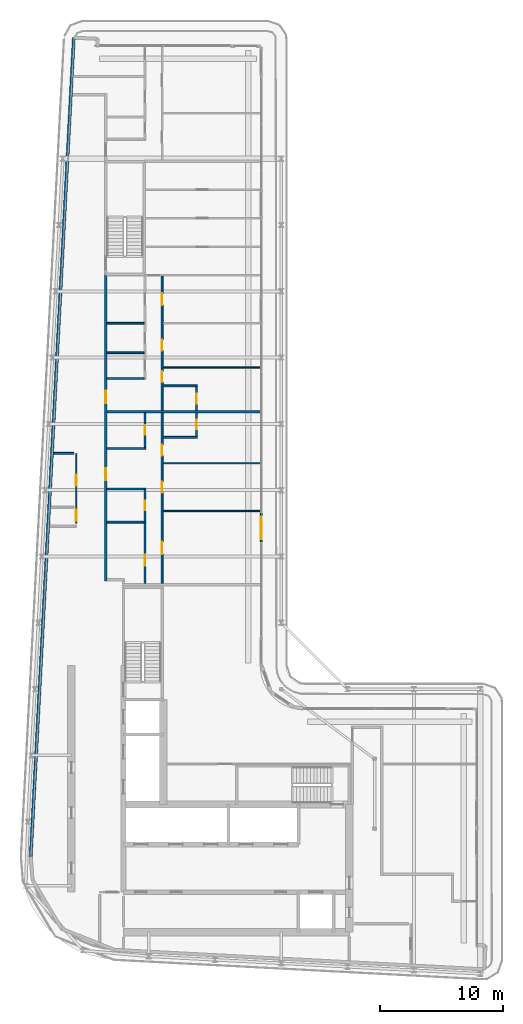
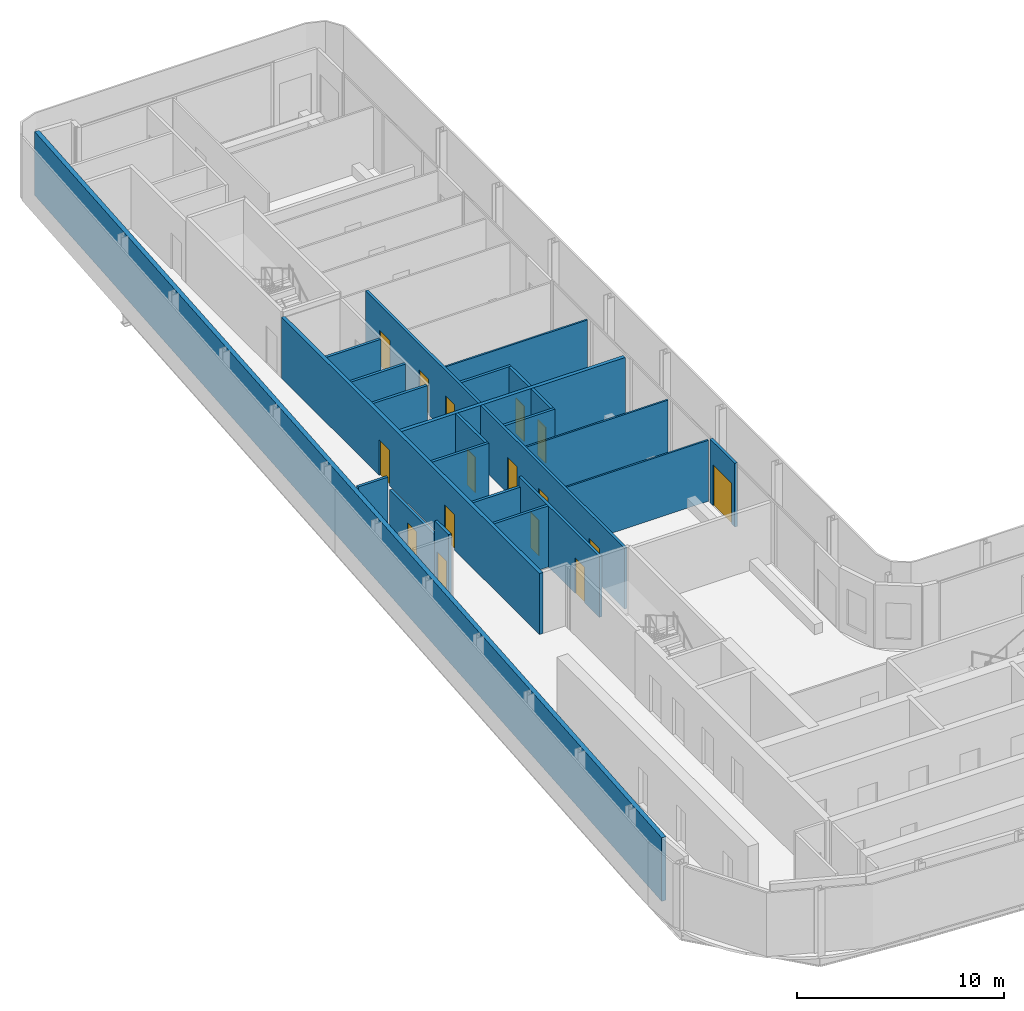
# One storey, part 13 of 21: 24 walls, 16 doors, 16 openings.
"""IFC4 building model written with IfcOpenShell, lengths in metres."""

import ifcopenshell
import ifcopenshell.guid

model = None  # the IFC model being written
_history = None  # IfcOwnerHistory: only IFC2X3 demands one
_inside = {}  # id of a spatial element -> (the spatial element, [elements in it])
_under = {}  # id of a project, library or spatial element -> (it, [spatial elements below it])
_declared = {}  # id of a project -> (the project, [libraries it declares])
_typed = {}  # id of a type object -> (the type object, [elements of that type])
_made_of = {}  # id of a material, layer set ... -> (it, [elements and type objects made of it])


def new_model(schema):
    """Start an empty IFC model of exactly this schema.

    Asked for "IFC4X3", IfcOpenShell would pick the latest addendum, in which some entities
    have other attributes; the version numbers below select the first issue.
    IFC2X3 requires an IfcOwnerHistory on every rooted entity: one is made here for all.
    """
    global model, _history
    if schema == "IFC4X3":
        model = ifcopenshell.file(schema_version=(4, 3, 0, 0))
    else:
        model = ifcopenshell.file(schema=schema)
    _inside.clear()
    _under.clear()
    _declared.clear()
    _typed.clear()
    _made_of.clear()
    _history = None
    if model.schema == "IFC2X3":
        org = make("IfcOrganization", Name="unknown")
        user = make(
            "IfcPersonAndOrganization",
            ThePerson=make("IfcPerson", FamilyName="unknown"),
            TheOrganization=org,
        )
        app = make(
            "IfcApplication",
            ApplicationDeveloper=org,
            Version="unknown",
            ApplicationFullName="unknown",
            ApplicationIdentifier="unknown",
        )
        _history = make(
            "IfcOwnerHistory",
            OwningUser=user,
            OwningApplication=app,
            ChangeAction="ADDED",
            CreationDate=0,
        )
    return model


def make(cls, **values):
    """One entity of the class cls with the attributes given. An attribute that is None is left unset."""
    return model.create_entity(
        cls, **{name: value for name, value in values.items() if value is not None}
    )


def rooted(cls, **values):
    """An entity with a GlobalId (a new one), such as an element, a storey or a relation."""
    return make(cls, GlobalId=ifcopenshell.guid.new(), OwnerHistory=_history, **values)


def si_unit(unit_type, name, prefix=None):
    """IfcSIUnit, for example si_unit("LENGTHUNIT", "METRE", prefix="MILLI")."""
    return make("IfcSIUnit", UnitType=unit_type, Prefix=prefix, Name=name)


def assignment(units):
    """IfcUnitAssignment: the units of a project."""
    return None if units is None else make("IfcUnitAssignment", Units=units)


def point(xyz):
    """IfcCartesianPoint."""
    return None if xyz is None else make("IfcCartesianPoint", Coordinates=xyz)


def direction(xyz):
    """IfcDirection."""
    return None if xyz is None else make("IfcDirection", DirectionRatios=xyz)


def frame(location, z_axis=None, x_axis=None):
    """IfcAxis2Placement3D, a coordinate frame: its origin and axes. An axis left out is left unset."""
    return make(
        "IfcAxis2Placement3D",
        Location=point(location),
        Axis=direction(z_axis),
        RefDirection=direction(x_axis),
    )


def frame_2d(location, x_axis=None):
    """IfcAxis2Placement2D, a coordinate frame in the plane: its origin and x axis."""
    return make(
        "IfcAxis2Placement2D", Location=point(location), RefDirection=direction(x_axis)
    )


def origin():
    """The frame at (0, 0, 0) with its axes left unset."""
    return frame((0.0, 0.0, 0.0))


def place(relative_to, where):
    """IfcLocalPlacement: puts the frame where relative to a parent placement (None: the world)."""
    return make(
        "IfcLocalPlacement", PlacementRelTo=relative_to, RelativePlacement=where
    )


def context(
    kind, dimensions, precision=None, world=None, true_north=None, identifier=None
):
    """IfcGeometricRepresentationContext, for example the 3D "Model" context."""
    return make(
        "IfcGeometricRepresentationContext",
        ContextIdentifier=identifier,
        ContextType=kind,
        CoordinateSpaceDimension=dimensions,
        Precision=precision,
        WorldCoordinateSystem=world,
        TrueNorth=true_north,
    )


def subcontext(parent, identifier, kind, view, scale=None):
    """IfcGeometricRepresentationSubContext, for example "Body" below "Model"."""
    return make(
        "IfcGeometricRepresentationSubContext",
        ContextIdentifier=identifier,
        ContextType=kind,
        ParentContext=parent,
        TargetScale=scale,
        TargetView=view,
    )


def project(units=None, contexts=None):
    """IfcProject with its units and contexts."""
    return rooted(
        "IfcProject",
        Name="project",
        RepresentationContexts=contexts,
        UnitsInContext=assignment(units),
    )


def spatial(cls, under=None, at=None, **own):
    """A site, building, storey or space (cls), placed at a placement, below another one or the project."""
    s = rooted(cls, ObjectPlacement=at, **own)
    if under is not None:
        _under.setdefault(under.id(), (under, []))[1].append(s)
    return s


def profile(cls, at=None, kind="AREA", **sizes):
    """A parametric profile (cls). Its sizes go by their IFC names, for example OverallWidth=200.0."""
    return make(cls, ProfileType=kind, Position=at, **sizes)


def rectangle(**sizes):
    """IfcRectangleProfileDef."""
    return profile("IfcRectangleProfileDef", **sizes)


def extrude(swept, where, along, depth):
    """IfcExtrudedAreaSolid: the profile swept, set in the frame where, extruded along a direction by depth."""
    return make(
        "IfcExtrudedAreaSolid",
        SweptArea=swept,
        Position=where,
        ExtrudedDirection=direction(along),
        Depth=depth,
    )


def shape(context_of_items, identifier, shape_type, items):
    """IfcShapeRepresentation: the items that make up one representation, for example the "Body"."""
    return make(
        "IfcShapeRepresentation",
        ContextOfItems=context_of_items,
        RepresentationIdentifier=identifier,
        RepresentationType=shape_type,
        Items=items,
    )


def source(mapping_origin, context_of_items, identifier, shape_type, items):
    """IfcRepresentationMap: a shape defined once, which mapped items show again and again."""
    return make(
        "IfcRepresentationMap",
        MappingOrigin=mapping_origin,
        MappedRepresentation=shape(context_of_items, identifier, shape_type, items),
    )


def transform(
    local_origin,
    x_axis=None,
    y_axis=None,
    z_axis=None,
    scale=None,
    scale2=None,
    scale3=None,
    uniform=True,
):
    """IfcCartesianTransformationOperator3D, or its non-uniform kind. x_axis, y_axis, z_axis: its Axis1, 2, 3."""
    if uniform:
        return make(
            "IfcCartesianTransformationOperator3D",
            Axis1=direction(x_axis),
            Axis2=direction(y_axis),
            LocalOrigin=point(local_origin),
            Scale=scale,
            Axis3=direction(z_axis),
        )
    return make(
        "IfcCartesianTransformationOperator3DnonUniform",
        Axis1=direction(x_axis),
        Axis2=direction(y_axis),
        LocalOrigin=point(local_origin),
        Scale=scale,
        Axis3=direction(z_axis),
        Scale2=scale2,
        Scale3=scale3,
    )


def mapped(mapping_source, mapping_target):
    """IfcMappedItem: shows the shape of a source again, moved by a transform."""
    return make(
        "IfcMappedItem", MappingSource=mapping_source, MappingTarget=mapping_target
    )


def material(Name=None, Category=None):
    """IfcMaterial."""
    return make("IfcMaterial", Name=Name, Category=Category)


def layer(
    of_material, thickness, ventilated=None, Name=None, Category=None, Priority=None
):
    """IfcMaterialLayer: one layer of a wall or slab, of a material (None: an air gap)."""
    return make(
        "IfcMaterialLayer",
        Material=of_material,
        LayerThickness=thickness,
        IsVentilated=ventilated,
        Name=Name,
        Category=Category,
        Priority=Priority,
    )


def layer_set(layers, Name=None):
    """IfcMaterialLayerSet."""
    return make("IfcMaterialLayerSet", MaterialLayers=layers, LayerSetName=Name)


def made_of(thing, what):
    """Note that an element or type object is made of a material, layer set ...; save() writes the relation."""
    if what is not None:
        _made_of.setdefault(what.id(), (what, []))[1].append(thing)
    return thing


def type_object(cls, material=None, **own):
    """A type object (cls), such as IfcWallType, which elements share."""
    return made_of(rooted(cls, **own), material)


def element(
    cls,
    number,
    at=None,
    inside=None,
    cuts=None,
    type_object=None,
    material=None,
    context=None,
    identifier="Body",
    shape_type=None,
    held_by="IfcProductDefinitionShape",
    body=None,
    shapes=None,
    **own,
):
    """One element of the class cls, such as IfcWall. Its Tag is "e" and its number.

    at: its placement. inside: the storey or other place that contains it. cuts: it is an
    opening in that element (IfcRelVoidsElement). A single representation is given by context,
    identifier, shape_type and body (its items); several are given by shapes. held_by: the class
    of the entity that holds the representations. save() writes the other relations.
    """
    e = rooted(cls, Tag="e%d" % number, ObjectPlacement=at, **own)
    if body is not None:
        shapes = [shape(context, identifier, shape_type, body)]
    if shapes is not None:
        e.Representation = make(held_by, Representations=shapes)
    if inside is not None:
        _inside.setdefault(inside.id(), (inside, []))[1].append(e)
    if cuts is not None:
        rooted(
            "IfcRelVoidsElement", RelatingBuildingElement=cuts, RelatedOpeningElement=e
        )
    if type_object is not None:
        _typed.setdefault(type_object.id(), (type_object, []))[1].append(e)
    return made_of(e, material)


def fill(opening, filler):
    """IfcRelFillsElement: the door or window that sits in an opening."""
    return rooted(
        "IfcRelFillsElement",
        RelatingOpeningElement=opening,
        RelatedBuildingElement=filler,
    )


def aggregate(whole, parts):
    """IfcRelAggregates: a whole, such as a stair, and the parts it consists of."""
    return rooted("IfcRelAggregates", RelatingObject=whole, RelatedObjects=parts)


def save(model, path):
    """Write the relations noted so far, then the file.

    IfcRelAggregates (storeys below a building ...), IfcRelContainedInSpatialStructure (elements
    in a storey), IfcRelDefinesByType, IfcRelAssociatesMaterial and IfcRelDeclares: one each for
    every whole, place, type object, material and project.
    """
    for whole, parts in _under.values():
        aggregate(whole, parts)
    for where, things in _inside.values():
        rooted(
            "IfcRelContainedInSpatialStructure",
            RelatedElements=things,
            RelatingStructure=where,
        )
    for kind, things in _typed.values():
        rooted("IfcRelDefinesByType", RelatedObjects=things, RelatingType=kind)
    for what, things in _made_of.values():
        rooted("IfcRelAssociatesMaterial", RelatedObjects=things, RelatingMaterial=what)
    for by, libraries in _declared.values():
        rooted("IfcRelDeclares", RelatingContext=by, RelatedDefinitions=libraries)
    model.write(path)


model = new_model("IFC4")

# Units and contexts
model_context = context("Model", 3, precision=1e-05, world=origin(), true_north=direction((0.0, 1.0)))
body_context = subcontext(model_context, "Body", "Model", "MODEL_VIEW")
ifc_project = project(units=[si_unit("LENGTHUNIT", "METRE"), si_unit("AREAUNIT", "SQUARE_METRE"), si_unit("VOLUMEUNIT", "CUBIC_METRE"), si_unit("PLANEANGLEUNIT", "RADIAN"), si_unit("MASSUNIT", "GRAM", prefix="KILO")], contexts=[model_context])

# Site, building, storey
site_placement = place(None, origin())
site = spatial("IfcSite", under=ifc_project, at=site_placement, CompositionType="ELEMENT")
building_placement = place(site_placement, origin())
building = spatial("IfcBuilding", under=site, at=building_placement, Name="Kheshtan School and Residences Tower", CompositionType="ELEMENT")
storey_placement = place(building_placement, frame((0.0, 0.0, 282.5)))
storey = spatial("IfcBuildingStorey", under=building, at=storey_placement, Name="L66", CompositionType="ELEMENT", Elevation=282.5)

# Wall, openings, doors
ifc_material_1 = material(Name="Gypsum board on steel studs with fire boards", Category="steel")
ifc_layer_1 = layer(ifc_material_1, 0.199951171875)
ifc_layer_set_1 = layer_set([ifc_layer_1], Name="Corridor wall 200")
wall_type_1 = type_object("IfcWallType", Name="Corridor wall 200", PredefinedType="PARTITIONING", material=ifc_layer_set_1)
wall_1_placement = place(storey_placement, frame((33.300048828125, 54.39990234375, 0.0), z_axis=(0.0, 0.0, 1.0), x_axis=(0.0, 1.0, 0.0)))
wall_1 = element("IfcWall", 1, at=wall_1_placement, inside=storey, type_object=wall_type_1, Name="Partition L66-003", PredefinedType="PARTITIONING", context=body_context, shape_type="SweptSolid", body=[
    extrude(rectangle(XDim=24.9501953125, YDim=0.199951171875, at=frame_2d((12.47509765625, 0.0))), origin(), (0.0, 0.0, 1.0), 3.60009765625),
])
opening_1_placement = place(wall_1_placement, frame((8.199951171875, 0.0, 0.0)))
opening_1 = element("IfcOpeningElement", 2, at=opening_1_placement, cuts=wall_1, Name="Opening D66-004", PredefinedType="OPENING", context=body_context, shape_type="SweptSolid", body=[
    extrude(rectangle(XDim=1.0, YDim=2.10009765625, at=frame_2d((0.5, 1.050048828125))), frame((0.0, 0.10986328125, 0.0), z_axis=(0.0, -1.0, 0.0), x_axis=(1.0, 0.0, 0.0)), (0.0, 0.0, 1.0), 0.219970703125),
])
opening_2_placement = place(wall_1_placement, frame((14.5, 0.0, 0.0)))
opening_2 = element("IfcOpeningElement", 3, at=opening_2_placement, cuts=wall_1, Name="Opening D66-012", PredefinedType="OPENING", context=body_context, shape_type="SweptSolid", body=[
    extrude(rectangle(XDim=1.0, YDim=2.10009765625, at=frame_2d((0.5, 1.050048828125))), frame((0.0, 0.10986328125, 0.0), z_axis=(0.0, -1.0, 0.0), x_axis=(1.0, 0.0, 0.0)), (0.0, 0.0, 1.0), 0.219970703125),
])
ifc_material_2 = material(Name="Steel-framed fire-resisting door leaf", Category="steel")
door_type_1 = type_object("IfcDoorType", Name="Fire door FD30S 1000 x 2100", OperationType="SINGLE_SWING_LEFT", PredefinedType="DOOR", material=ifc_material_2)
shared_shape_1 = source(origin(), body_context, "Body", "SweptSolid", [
    extrude(rectangle(XDim=1.0, YDim=2.10009765625, at=frame_2d((0.5, 1.050048828125))), frame((0.0, 0.02490234375, 0.0), z_axis=(0.0, -1.0, 0.0), x_axis=(1.0, 0.0, 0.0)), (0.0, 0.0, 1.0), 0.050048828125),
])
door_1_placement = place(opening_1_placement, origin())
door_1 = element("IfcDoor", 4, at=door_1_placement, inside=storey, type_object=door_type_1, Name="Door D66-004", OperationType="SINGLE_SWING_RIGHT", OverallHeight=2.10009765625, OverallWidth=1.0, PredefinedType="DOOR", context=body_context, shape_type="MappedRepresentation", body=[
    mapped(shared_shape_1, transform((0.0, 0.0, 0.0), x_axis=(1.0, 0.0, 0.0), y_axis=(0.0, 1.0, 0.0), z_axis=(0.0, 0.0, 1.0), scale=1.0)),
])
fill(opening_1, door_1)
door_2_placement = place(opening_2_placement, origin())
door_2 = element("IfcDoor", 5, at=door_2_placement, inside=storey, type_object=door_type_1, Name="Door D66-012", OperationType="SINGLE_SWING_RIGHT", OverallHeight=2.10009765625, OverallWidth=1.0, PredefinedType="DOOR", context=body_context, shape_type="MappedRepresentation", body=[
    mapped(shared_shape_1, transform((0.0, 0.0, 0.0), x_axis=(1.0, 0.0, 0.0), y_axis=(0.0, 1.0, 0.0), z_axis=(0.0, 0.0, 1.0), scale=1.0)),
])
fill(opening_2, door_2)

# Wall
ifc_material_3 = material(Name="Concrete C40/50 with ceramic cladding and mineral wool insulation", Category="concrete")
ifc_layer_2 = layer(ifc_material_3, 0.25)
ifc_layer_set_2 = layer_set([ifc_layer_2], Name="External wall 250 ceramic clad")
wall_type_2 = type_object("IfcWallType", Name="External wall 250 ceramic clad", PredefinedType="SOLIDWALL", material=ifc_layer_set_2)
wall_2_placement = place(storey_placement, frame((27.195068359375, 31.968994140625, 0.0), z_axis=(0.0, 0.0, 1.0), x_axis=(0.052554995867, 0.998618031286, 0.0)))
element("IfcWall", 6, at=wall_2_placement, inside=storey, type_object=wall_type_2, Name="External wall L66 4", PredefinedType="SOLIDWALL", context=body_context, shape_type="SweptSolid", body=[
    extrude(rectangle(XDim=66.787353515625, YDim=0.25, at=frame_2d((33.3935546875, 0.0))), origin(), (0.0, 0.0, 1.0), 3.75),
])

# Wall, opening, door
ifc_material_4 = material(Name="Aluminium frame wall with insulated infill", Category="aluminium")
ifc_layer_3 = layer(ifc_material_4, 0.14990234375)
ifc_layer_set_3 = layer_set([ifc_layer_3], Name="Glazing frame wall 150")
wall_type_3 = type_object("IfcWallType", Name="Glazing frame wall 150", PredefinedType="SOLIDWALL", material=ifc_layer_set_3)
wall_3_placement = place(storey_placement, frame((45.97509765625, 59.924072265625, 0.0), z_axis=(0.0, 0.0, 1.0), x_axis=(0.0, -1.0, 0.0)))
wall_3 = element("IfcWall", 7, at=wall_3_placement, inside=storey, type_object=wall_type_3, Name="Balcony door wall L66 8.4", PredefinedType="SOLIDWALL", context=body_context, shape_type="SweptSolid", body=[
    extrude(rectangle(XDim=2.400146484375, YDim=0.14990234375, at=frame_2d((1.2001953125, 0.0))), origin(), (0.0, 0.0, 1.0), 3.75),
])
opening_3_placement = place(wall_3_placement, frame((0.300048828125, 0.0, 0.0)))
opening_3 = element("IfcOpeningElement", 8, at=opening_3_placement, cuts=wall_3, Name="Opening BD", PredefinedType="OPENING", context=body_context, shape_type="SweptSolid", body=[
    extrude(rectangle(XDim=1.800048828125, YDim=2.39990234375, at=frame_2d((0.89990234375, 1.199951171875))), frame((0.0, 0.0849609375, 0.0), z_axis=(0.0, -1.0, 0.0), x_axis=(1.0, 0.0, 0.0)), (0.0, 0.0, 1.0), 0.169921875),
])
ifc_material_5 = material(Name="Clear low-e glass in thermally broken aluminium frame", Category="aluminium")
door_type_2 = type_object("IfcDoorType", Name="Balcony sliding door", OperationType="SLIDING_TO_LEFT", PredefinedType="DOOR", material=ifc_material_5)
shared_shape_2 = source(origin(), body_context, "Body", "SweptSolid", [
    extrude(rectangle(XDim=1.800048828125, YDim=2.39990234375, at=frame_2d((0.89990234375, 1.199951171875))), frame((0.0, 0.02490234375, 0.0), z_axis=(0.0, -1.0, 0.0), x_axis=(1.0, 0.0, 0.0)), (0.0, 0.0, 1.0), 0.050048828125),
])
door_3_placement = place(opening_3_placement, origin())
door_3 = element("IfcDoor", 9, at=door_3_placement, inside=storey, type_object=door_type_2, Name="Balcony door L66 8.4", OperationType="SLIDING_TO_LEFT", OverallHeight=2.39990234375, OverallWidth=1.800048828125, PredefinedType="DOOR", context=body_context, shape_type="MappedRepresentation", body=[
    mapped(shared_shape_2, transform((0.0, 0.0, 0.0), x_axis=(1.0, 0.0, 0.0), y_axis=(0.0, 1.0, 0.0), z_axis=(0.0, 0.0, 1.0), scale=1.0)),
])
fill(opening_3, door_3)

# Walls
ifc_material_6 = material(Name="Gypsum board on steel studs", Category="steel")
ifc_layer_4 = layer(ifc_material_6, 0.10009765625)
ifc_layer_set_4 = layer_set([ifc_layer_4], Name="Gypsum partition 100")
wall_type_4 = type_object("IfcWallType", Name="Gypsum partition 100", PredefinedType="PARTITIONING", material=ifc_layer_set_4)
for number, where, z_axis, x_axis, name in (
    (10, (37.97509765625, 60.10009765625, 0.0), (0.0, 0.0, 1.0), (1.0, 0.0, 0.0), "Partition L66-030"),
    (11, (37.97509765625, 64.0, 0.0), (0.0, 0.0, 1.0), (1.0, 0.0, 0.0), "Partition L66-031"),
    (12, (37.97509765625, 71.800048828125, 0.0), (0.0, 0.0, 1.0), (1.0, 0.0, 0.0), "Partition L66-034"),
):
    element("IfcWall", number, at=place(storey_placement, frame(where, z_axis=z_axis, x_axis=x_axis)), inside=storey, type_object=wall_type_4, Name=name, PredefinedType="PARTITIONING", context=body_context, shape_type="SweptSolid", body=[
        extrude(rectangle(XDim=7.9248046875, YDim=0.10009765625, at=frame_2d((3.96240234375, 0.0))), origin(), (0.0, 0.0, 1.0), 3.60009765625),
    ])

# Wall, opening, door
ifc_material_7 = material(Name="Fire-board shaft wall system")
ifc_layer_5 = layer(ifc_material_7, 0.14990234375)
ifc_layer_set_5 = layer_set([ifc_layer_5], Name="Service room wall 150")
wall_type_5 = type_object("IfcWallType", Name="Service room wall 150", PredefinedType="PARTITIONING", material=ifc_layer_set_5)
wall_4_placement = place(storey_placement, frame((30.89990234375, 59.06689453125, 0.0), z_axis=(0.0, 0.0, 1.0), x_axis=(0.0, 1.0, 0.0)))
wall_4 = element("IfcWall", 13, at=wall_4_placement, inside=storey, type_object=wall_type_5, Name="Service room wall", PredefinedType="PARTITIONING", context=body_context, shape_type="SweptSolid", body=[
    extrude(rectangle(XDim=1.34716796875, YDim=0.14990234375, at=frame_2d((0.673583984375, 0.0))), origin(), (0.0, 0.0, 1.0), 3.89990234375),
])
opening_4_placement = place(wall_4_placement, frame((0.22607421875, 0.0, 0.0)))
opening_4 = element("IfcOpeningElement", 14, at=opening_4_placement, cuts=wall_4, Name="Opening SR90", PredefinedType="OPENING", context=body_context, shape_type="SweptSolid", body=[
    extrude(rectangle(XDim=0.89990234375, YDim=2.199951171875, at=frame_2d((0.449951171875, 1.10009765625))), frame((0.0, 0.0849609375, 0.0), z_axis=(0.0, -1.0, 0.0), x_axis=(1.0, 0.0, 0.0)), (0.0, 0.0, 1.0), 0.169921875),
])
ifc_material_8 = material(Name="Steel door leaf, galvanised", Category="steel")
door_type_3 = type_object("IfcDoorType", Name="Service room door 900 steel 90 min", OperationType="SINGLE_SWING_LEFT", PredefinedType="DOOR", material=ifc_material_8)
shared_shape_3 = source(origin(), body_context, "Body", "SweptSolid", [
    extrude(rectangle(XDim=0.89990234375, YDim=2.199951171875, at=frame_2d((0.449951171875, 1.10009765625))), frame((0.0, 0.02490234375, 0.0), z_axis=(0.0, -1.0, 0.0), x_axis=(1.0, 0.0, 0.0)), (0.0, 0.0, 1.0), 0.050048828125),
])
door_4_placement = place(opening_4_placement, origin())
door_4 = element("IfcDoor", 15, at=door_4_placement, inside=storey, type_object=door_type_3, Name="Service room door", OperationType="SINGLE_SWING_LEFT", OverallHeight=2.199951171875, OverallWidth=0.89990234375, PredefinedType="DOOR", context=body_context, shape_type="MappedRepresentation", body=[
    mapped(shared_shape_3, transform((0.0, 0.0, 0.0), x_axis=(1.0, 0.0, 0.0), y_axis=(0.0, 1.0, 0.0), z_axis=(0.0, 0.0, 1.0), scale=1.0)),
])
fill(opening_4, door_4)

wall_5_placement = place(storey_placement, frame((30.89990234375, 60.4140625, 0.0), z_axis=(0.0, 0.0, 1.0), x_axis=(0.0, 1.0, 0.0)))
wall_5 = element("IfcWall", 16, at=wall_5_placement, inside=storey, type_object=wall_type_5, Name="Service room wall", PredefinedType="PARTITIONING", context=body_context, shape_type="SweptSolid", body=[
    extrude(rectangle(XDim=4.385986328125, YDim=0.14990234375, at=frame_2d((2.19287109375, 0.0))), origin(), (0.0, 0.0, 1.0), 3.072021484375),
])
opening_5_placement = place(wall_5_placement, frame((1.742919921875, 0.0, 0.0)))
opening_5 = element("IfcOpeningElement", 17, at=opening_5_placement, cuts=wall_5, Name="Opening SR90", PredefinedType="OPENING", context=body_context, shape_type="SweptSolid", body=[
    extrude(rectangle(XDim=0.89990234375, YDim=2.199951171875, at=frame_2d((0.449951171875, 1.10009765625))), frame((0.0, 0.0849609375, 0.0), z_axis=(0.0, -1.0, 0.0), x_axis=(1.0, 0.0, 0.0)), (0.0, 0.0, 1.0), 0.169921875),
])
door_5_placement = place(opening_5_placement, origin())
door_5 = element("IfcDoor", 18, at=door_5_placement, inside=storey, type_object=door_type_3, Name="Service room door", OperationType="SINGLE_SWING_LEFT", OverallHeight=2.199951171875, OverallWidth=0.89990234375, PredefinedType="DOOR", context=body_context, shape_type="MappedRepresentation", body=[
    mapped(shared_shape_3, transform((0.0, 0.0, 0.0), x_axis=(1.0, 0.0, 0.0), y_axis=(0.0, 1.0, 0.0), z_axis=(0.0, 0.0, 1.0), scale=1.0)),
])
fill(opening_5, door_5)

# Walls
wall_6_placement = place(storey_placement, frame((29.050048828125, 64.800048828125, 0.0), z_axis=(0.0, 0.0, 1.0), x_axis=(1.0, 0.0, 0.0)))
element("IfcWall", 19, at=wall_6_placement, inside=storey, type_object=wall_type_5, Name="Service room wall", PredefinedType="PARTITIONING", context=body_context, shape_type="SweptSolid", body=[
    extrude(rectangle(XDim=1.655029296875, YDim=0.14990234375, at=frame_2d((0.82763671875, 0.0))), origin(), (0.0, 0.0, 1.0), 3.89990234375),
])
ifc_material_9 = material(Name="Twin gypsum board on steel studs with mineral wool", Category="steel")
ifc_layer_6 = layer(ifc_material_9, 0.199951171875)
ifc_layer_set_6 = layer_set([ifc_layer_6], Name="Unit demising wall 200")
wall_type_6 = type_object("IfcWallType", Name="Unit demising wall 200", PredefinedType="PARTITIONING", material=ifc_layer_set_6)
wall_7_placement = place(storey_placement, frame((33.39990234375, 68.199951171875, 0.0), z_axis=(0.0, 0.0, 1.0), x_axis=(1.0, 0.0, 0.0)))
element("IfcWall", 20, at=wall_7_placement, inside=storey, type_object=wall_type_6, Name="Partition L66-009", PredefinedType="PARTITIONING", context=body_context, shape_type="SweptSolid", body=[
    extrude(rectangle(XDim=12.5, YDim=0.199951171875, at=frame_2d((6.25, 0.0))), origin(), (0.0, 0.0, 1.0), 3.60009765625),
])
ifc_material_10 = material(Name="Moisture-resistant gypsum board on steel studs", Category="steel")
ifc_layer_7 = layer(ifc_material_10, 0.14990234375)
ifc_layer_set_7 = layer_set([ifc_layer_7], Name="Wet-room partition 150")
wall_type_7 = type_object("IfcWallType", Name="Wet-room partition 150", PredefinedType="PARTITIONING", material=ifc_layer_set_7)
wall_8_placement = place(storey_placement, frame((33.39990234375, 59.199951171875, 0.0), z_axis=(0.0, 0.0, 1.0), x_axis=(1.0, 0.0, 0.0)))
element("IfcWall", 21, at=wall_8_placement, inside=storey, type_object=wall_type_7, Name="Partition L66-006", PredefinedType="PARTITIONING", context=body_context, shape_type="SweptSolid", body=[
    extrude(rectangle(XDim=3.025146484375, YDim=0.14990234375, at=frame_2d((1.5126953125, 0.0))), origin(), (0.0, 0.0, 1.0), 3.60009765625),
])
wall_9_placement = place(storey_placement, frame((33.39990234375, 61.89990234375, 0.0), z_axis=(0.0, 0.0, 1.0), x_axis=(1.0, 0.0, 0.0)))
element("IfcWall", 22, at=wall_9_placement, inside=storey, type_object=wall_type_7, Name="Partition L66-007", PredefinedType="PARTITIONING", context=body_context, shape_type="SweptSolid", body=[
    extrude(rectangle(XDim=3.025146484375, YDim=0.14990234375, at=frame_2d((1.5126953125, 0.0))), origin(), (0.0, 0.0, 1.0), 3.072021484375),
])
wall_10_placement = place(storey_placement, frame((33.39990234375, 65.199951171875, 0.0), z_axis=(0.0, 0.0, 1.0), x_axis=(1.0, 0.0, 0.0)))
element("IfcWall", 23, at=wall_10_placement, inside=storey, type_object=wall_type_7, Name="Partition L66-008", PredefinedType="PARTITIONING", context=body_context, shape_type="SweptSolid", body=[
    extrude(rectangle(XDim=3.175048828125, YDim=0.14990234375, at=frame_2d((1.58740234375, 0.0))), origin(), (0.0, 0.0, 1.0), 3.60009765625),
])
for number, where, z_axis, x_axis, name in (
    (24, (33.39990234375, 70.89990234375, 0.0), (0.0, 0.0, 1.0), (1.0, 0.0, 0.0), "Partition L66-010"),
    (25, (33.39990234375, 73.0, 0.0), (0.0, 0.0, 1.0), (1.0, 0.0, 0.0), "Partition L66-011"),
    (26, (33.39990234375, 75.39990234375, 0.0), (0.0, 0.0, 1.0), (1.0, 0.0, 0.0), "Partition L66-012"),
):
    element("IfcWall", number, at=place(storey_placement, frame(where, z_axis=z_axis, x_axis=x_axis)), inside=storey, type_object=wall_type_7, Name=name, PredefinedType="PARTITIONING", context=body_context, shape_type="SweptSolid", body=[
        extrude(rectangle(XDim=3.025146484375, YDim=0.14990234375, at=frame_2d((1.5126953125, 0.0))), origin(), (0.0, 0.0, 1.0), 3.60009765625),
    ])

# Wall, openings, doors
wall_11_placement = place(storey_placement, frame((36.5, 54.199951171875, 0.0), z_axis=(0.0, 0.0, 1.0), x_axis=(0.0, 1.0, 0.0)))
wall_11 = element("IfcWall", 27, at=wall_11_placement, inside=storey, type_object=wall_type_7, Name="Partition L66-018", PredefinedType="PARTITIONING", context=body_context, shape_type="SweptSolid", body=[
    extrude(rectangle(XDim=7.775146484375, YDim=0.14990234375, at=frame_2d((3.8876953125, 0.0))), origin(), (0.0, 0.0, 1.0), 3.60009765625),
])
opening_6_placement = place(wall_11_placement, frame((1.449951171875, 0.0, 0.0)))
opening_6 = element("IfcOpeningElement", 28, at=opening_6_placement, cuts=wall_11, Name="Opening D66-005", PredefinedType="OPENING", context=body_context, shape_type="SweptSolid", body=[
    extrude(rectangle(XDim=0.89990234375, YDim=2.10009765625, at=frame_2d((0.449951171875, 1.050048828125))), frame((0.0, 0.0849609375, 0.0), z_axis=(0.0, -1.0, 0.0), x_axis=(1.0, 0.0, 0.0)), (0.0, 0.0, 1.0), 0.169921875),
])
opening_7_placement = place(wall_11_placement, frame((5.949951171875, 0.0, 0.0)))
opening_7 = element("IfcOpeningElement", 29, at=opening_7_placement, cuts=wall_11, Name="Opening D66-008", PredefinedType="OPENING", context=body_context, shape_type="SweptSolid", body=[
    extrude(rectangle(XDim=0.800048828125, YDim=2.10009765625, at=frame_2d((0.39990234375, 1.050048828125))), frame((0.0, 0.0849609375, 0.0), z_axis=(0.0, -1.0, 0.0), x_axis=(1.0, 0.0, 0.0)), (0.0, 0.0, 1.0), 0.169921875),
])
ifc_material_11 = material(Name="Veneered timber door leaf", Category="wood")
door_type_4 = type_object("IfcDoorType", Name="Door 800 x 2100", OperationType="SINGLE_SWING_LEFT", PredefinedType="DOOR", material=ifc_material_11)
shared_shape_4 = source(origin(), body_context, "Body", "SweptSolid", [
    extrude(rectangle(XDim=0.800048828125, YDim=2.10009765625, at=frame_2d((0.39990234375, 1.050048828125))), frame((0.0, 0.02490234375, 0.0), z_axis=(0.0, -1.0, 0.0), x_axis=(1.0, 0.0, 0.0)), (0.0, 0.0, 1.0), 0.050048828125),
])
door_6_placement = place(opening_7_placement, origin())
door_6 = element("IfcDoor", 30, at=door_6_placement, inside=storey, type_object=door_type_4, Name="Door D66-008", OperationType="SINGLE_SWING_RIGHT", OverallHeight=2.10009765625, OverallWidth=0.800048828125, PredefinedType="DOOR", context=body_context, shape_type="MappedRepresentation", body=[
    mapped(shared_shape_4, transform((0.0, 0.0, 0.0), x_axis=(1.0, 0.0, 0.0), y_axis=(0.0, 1.0, 0.0), z_axis=(0.0, 0.0, 1.0), scale=1.0)),
])
fill(opening_7, door_6)
door_type_5 = type_object("IfcDoorType", Name="Door 900 x 2100", OperationType="SINGLE_SWING_LEFT", PredefinedType="DOOR", material=ifc_material_11)
shared_shape_5 = source(origin(), body_context, "Body", "SweptSolid", [
    extrude(rectangle(XDim=0.89990234375, YDim=2.10009765625, at=frame_2d((0.449951171875, 1.050048828125))), frame((0.0, 0.02490234375, 0.0), z_axis=(0.0, -1.0, 0.0), x_axis=(1.0, 0.0, 0.0)), (0.0, 0.0, 1.0), 0.050048828125),
])
door_7_placement = place(opening_6_placement, origin())
door_7 = element("IfcDoor", 31, at=door_7_placement, inside=storey, type_object=door_type_5, Name="Door D66-005", OperationType="SINGLE_SWING_RIGHT", OverallHeight=2.10009765625, OverallWidth=0.89990234375, PredefinedType="DOOR", context=body_context, shape_type="MappedRepresentation", body=[
    mapped(shared_shape_5, transform((0.0, 0.0, 0.0), x_axis=(1.0, 0.0, 0.0), y_axis=(0.0, 1.0, 0.0), z_axis=(0.0, 0.0, 1.0), scale=1.0)),
])
fill(opening_6, door_7)

# Wall, opening, door
wall_12_placement = place(storey_placement, frame((36.5, 65.27490234375, 0.0), z_axis=(0.0, 0.0, 1.0), x_axis=(0.0, 1.0, 0.0)))
wall_12 = element("IfcWall", 32, at=wall_12_placement, inside=storey, type_object=wall_type_7, Name="Partition L66-019", PredefinedType="PARTITIONING", context=body_context, shape_type="SweptSolid", body=[
    extrude(rectangle(XDim=2.8251953125, YDim=0.14990234375, at=frame_2d((1.41259765625, 0.0))), origin(), (0.0, 0.0, 1.0), 3.60009765625),
])
opening_8_placement = place(wall_12_placement, frame((1.02490234375, 0.0, 0.0)))
opening_8 = element("IfcOpeningElement", 33, at=opening_8_placement, cuts=wall_12, Name="Opening D66-001", PredefinedType="OPENING", context=body_context, shape_type="SweptSolid", body=[
    extrude(rectangle(XDim=0.800048828125, YDim=2.10009765625, at=frame_2d((0.39990234375, 1.050048828125))), frame((0.0, 0.0849609375, 0.0), z_axis=(0.0, -1.0, 0.0), x_axis=(1.0, 0.0, 0.0)), (0.0, 0.0, 1.0), 0.169921875),
])
door_8_placement = place(opening_8_placement, origin())
door_8 = element("IfcDoor", 34, at=door_8_placement, inside=storey, type_object=door_type_4, Name="Door D66-001", OperationType="SINGLE_SWING_RIGHT", OverallHeight=2.10009765625, OverallWidth=0.800048828125, PredefinedType="DOOR", context=body_context, shape_type="MappedRepresentation", body=[
    mapped(shared_shape_4, transform((0.0, 0.0, 0.0), x_axis=(1.0, 0.0, 0.0), y_axis=(0.0, 1.0, 0.0), z_axis=(0.0, 0.0, 1.0), scale=1.0)),
])
fill(opening_8, door_8)

# Wall, openings, doors
wall_13_placement = place(storey_placement, frame((37.89990234375, 54.199951171875, 0.0), z_axis=(0.0, 0.0, 1.0), x_axis=(0.0, 1.0, 0.0)))
wall_13 = element("IfcWall", 35, at=wall_13_placement, inside=storey, type_object=wall_type_7, Name="Partition L66-026", PredefinedType="PARTITIONING", context=body_context, shape_type="SweptSolid", body=[
    extrude(rectangle(XDim=13.900146484375, YDim=0.14990234375, at=frame_2d((6.9501953125, 0.0))), origin(), (0.0, 0.0, 1.0), 3.60009765625),
])
opening_9_placement = place(wall_13_placement, frame((7.39990234375, 0.0, 0.0)))
opening_9 = element("IfcOpeningElement", 36, at=opening_9_placement, cuts=wall_13, Name="Opening D66-002", PredefinedType="OPENING", context=body_context, shape_type="SweptSolid", body=[
    extrude(rectangle(XDim=0.89990234375, YDim=2.10009765625, at=frame_2d((0.449951171875, 1.050048828125))), frame((0.0, 0.0849609375, 0.0), z_axis=(0.0, -1.0, 0.0), x_axis=(1.0, 0.0, 0.0)), (0.0, 0.0, 1.0), 0.169921875),
])
opening_10_placement = place(wall_13_placement, frame((2.39990234375, 0.0, 0.0)))
opening_10 = element("IfcOpeningElement", 37, at=opening_10_placement, cuts=wall_13, Name="Opening D66-006", PredefinedType="OPENING", context=body_context, shape_type="SweptSolid", body=[
    extrude(rectangle(XDim=1.0, YDim=2.10009765625, at=frame_2d((0.5, 1.050048828125))), frame((0.0, 0.0849609375, 0.0), z_axis=(0.0, -1.0, 0.0), x_axis=(1.0, 0.0, 0.0)), (0.0, 0.0, 1.0), 0.169921875),
])
opening_11_placement = place(wall_13_placement, frame((10.39990234375, 0.0, 0.0)))
opening_11 = element("IfcOpeningElement", 38, at=opening_11_placement, cuts=wall_13, Name="Opening D66-007", PredefinedType="OPENING", context=body_context, shape_type="SweptSolid", body=[
    extrude(rectangle(XDim=0.89990234375, YDim=2.10009765625, at=frame_2d((0.449951171875, 1.050048828125))), frame((0.0, 0.0849609375, 0.0), z_axis=(0.0, -1.0, 0.0), x_axis=(1.0, 0.0, 0.0)), (0.0, 0.0, 1.0), 0.169921875),
])
door_type_6 = type_object("IfcDoorType", Name="Door 1000 x 2100", OperationType="SINGLE_SWING_LEFT", PredefinedType="DOOR", material=ifc_material_11)
shared_shape_6 = source(origin(), body_context, "Body", "SweptSolid", [
    extrude(rectangle(XDim=1.0, YDim=2.10009765625, at=frame_2d((0.5, 1.050048828125))), frame((0.0, 0.02490234375, 0.0), z_axis=(0.0, -1.0, 0.0), x_axis=(1.0, 0.0, 0.0)), (0.0, 0.0, 1.0), 0.050048828125),
])
door_9_placement = place(opening_10_placement, origin())
door_9 = element("IfcDoor", 39, at=door_9_placement, inside=storey, type_object=door_type_6, Name="Door D66-006", OperationType="SINGLE_SWING_RIGHT", OverallHeight=2.10009765625, OverallWidth=1.0, PredefinedType="DOOR", context=body_context, shape_type="MappedRepresentation", body=[
    mapped(shared_shape_6, transform((0.0, 0.0, 0.0), x_axis=(1.0, 0.0, 0.0), y_axis=(0.0, 1.0, 0.0), z_axis=(0.0, 0.0, 1.0), scale=1.0)),
])
fill(opening_10, door_9)
door_10_placement = place(opening_9_placement, origin())
door_10 = element("IfcDoor", 40, at=door_10_placement, inside=storey, type_object=door_type_5, Name="Door D66-002", OperationType="SINGLE_SWING_RIGHT", OverallHeight=2.10009765625, OverallWidth=0.89990234375, PredefinedType="DOOR", context=body_context, shape_type="MappedRepresentation", body=[
    mapped(shared_shape_5, transform((0.0, 0.0, 0.0), x_axis=(1.0, 0.0, 0.0), y_axis=(0.0, 1.0, 0.0), z_axis=(0.0, 0.0, 1.0), scale=1.0)),
])
fill(opening_9, door_10)
door_11_placement = place(opening_11_placement, origin())
door_11 = element("IfcDoor", 41, at=door_11_placement, inside=storey, type_object=door_type_5, Name="Door D66-007", OperationType="SINGLE_SWING_LEFT", OverallHeight=2.10009765625, OverallWidth=0.89990234375, PredefinedType="DOOR", context=body_context, shape_type="MappedRepresentation", body=[
    mapped(shared_shape_5, transform((0.0, 0.0, 0.0), x_axis=(1.0, 0.0, 0.0), y_axis=(0.0, 1.0, 0.0), z_axis=(0.0, 0.0, 1.0), scale=1.0)),
])
fill(opening_11, door_11)

wall_14_placement = place(storey_placement, frame((37.89990234375, 68.300048828125, 0.0), z_axis=(0.0, 0.0, 1.0), x_axis=(0.0, 1.0, 0.0)))
wall_14 = element("IfcWall", 42, at=wall_14_placement, inside=storey, type_object=wall_type_7, Name="Partition L66-027", PredefinedType="PARTITIONING", context=body_context, shape_type="SweptSolid", body=[
    extrude(rectangle(XDim=10.949951171875, YDim=0.14990234375, at=frame_2d((5.47509765625, 0.0))), origin(), (0.0, 0.0, 1.0), 3.60009765625),
])
opening_12_placement = place(wall_14_placement, frame((4.85009765625, 0.0, 0.0)))
opening_12 = element("IfcOpeningElement", 43, at=opening_12_placement, cuts=wall_14, Name="Opening D66-010", PredefinedType="OPENING", context=body_context, shape_type="SweptSolid", body=[
    extrude(rectangle(XDim=0.89990234375, YDim=2.10009765625, at=frame_2d((0.449951171875, 1.050048828125))), frame((0.0, 0.0849609375, 0.0), z_axis=(0.0, -1.0, 0.0), x_axis=(1.0, 0.0, 0.0)), (0.0, 0.0, 1.0), 0.169921875),
])
opening_13_placement = place(wall_14_placement, frame((8.550048828125, 0.0, 0.0)))
opening_13 = element("IfcOpeningElement", 44, at=opening_13_placement, cuts=wall_14, Name="Opening D66-014", PredefinedType="OPENING", context=body_context, shape_type="SweptSolid", body=[
    extrude(rectangle(XDim=1.0, YDim=2.10009765625, at=frame_2d((0.5, 1.050048828125))), frame((0.0, 0.0849609375, 0.0), z_axis=(0.0, -1.0, 0.0), x_axis=(1.0, 0.0, 0.0)), (0.0, 0.0, 1.0), 0.169921875),
])
opening_14_placement = place(wall_14_placement, frame((2.300048828125, 0.0, 0.0)))
opening_14 = element("IfcOpeningElement", 45, at=opening_14_placement, cuts=wall_14, Name="Opening D66-015", PredefinedType="OPENING", context=body_context, shape_type="SweptSolid", body=[
    extrude(rectangle(XDim=0.89990234375, YDim=2.10009765625, at=frame_2d((0.449951171875, 1.050048828125))), frame((0.0, 0.0849609375, 0.0), z_axis=(0.0, -1.0, 0.0), x_axis=(1.0, 0.0, 0.0)), (0.0, 0.0, 1.0), 0.169921875),
])
door_12_placement = place(opening_13_placement, origin())
door_12 = element("IfcDoor", 46, at=door_12_placement, inside=storey, type_object=door_type_6, Name="Door D66-014", OperationType="SINGLE_SWING_RIGHT", OverallHeight=2.10009765625, OverallWidth=1.0, PredefinedType="DOOR", context=body_context, shape_type="MappedRepresentation", body=[
    mapped(shared_shape_6, transform((0.0, 0.0, 0.0), x_axis=(1.0, 0.0, 0.0), y_axis=(0.0, 1.0, 0.0), z_axis=(0.0, 0.0, 1.0), scale=1.0)),
])
fill(opening_13, door_12)
door_13_placement = place(opening_12_placement, origin())
door_13 = element("IfcDoor", 47, at=door_13_placement, inside=storey, type_object=door_type_5, Name="Door D66-010", OperationType="SINGLE_SWING_RIGHT", OverallHeight=2.10009765625, OverallWidth=0.89990234375, PredefinedType="DOOR", context=body_context, shape_type="MappedRepresentation", body=[
    mapped(shared_shape_5, transform((0.0, 0.0, 0.0), x_axis=(1.0, 0.0, 0.0), y_axis=(0.0, 1.0, 0.0), z_axis=(0.0, 0.0, 1.0), scale=1.0)),
])
fill(opening_12, door_13)
door_14_placement = place(opening_14_placement, origin())
door_14 = element("IfcDoor", 48, at=door_14_placement, inside=storey, type_object=door_type_5, Name="Door D66-015", OperationType="SINGLE_SWING_RIGHT", OverallHeight=2.10009765625, OverallWidth=0.89990234375, PredefinedType="DOOR", context=body_context, shape_type="MappedRepresentation", body=[
    mapped(shared_shape_5, transform((0.0, 0.0, 0.0), x_axis=(1.0, 0.0, 0.0), y_axis=(0.0, 1.0, 0.0), z_axis=(0.0, 0.0, 1.0), scale=1.0)),
])
fill(opening_14, door_14)

# Walls
for number, where, z_axis, x_axis, name in (
    (49, (37.97509765625, 66.10009765625, 0.0), (0.0, 0.0, 1.0), (1.0, 0.0, 0.0), "Partition L66-032"),
    (50, (37.97509765625, 70.300048828125, 0.0), (0.0, 0.0, 1.0), (1.0, 0.0, 0.0), "Partition L66-033"),
):
    element("IfcWall", number, at=place(storey_placement, frame(where, z_axis=z_axis, x_axis=x_axis)), inside=storey, type_object=wall_type_7, Name=name, PredefinedType="PARTITIONING", context=body_context, shape_type="SweptSolid", body=[
        extrude(rectangle(XDim=2.7998046875, YDim=0.14990234375, at=frame_2d((1.39990234375, 0.0))), origin(), (0.0, 0.0, 1.0), 3.60009765625),
    ])

# Wall, opening, door
wall_15_placement = place(storey_placement, frame((40.699951171875, 66.175048828125, 0.0), z_axis=(0.0, 0.0, 1.0), x_axis=(0.0, 1.0, 0.0)))
wall_15 = element("IfcWall", 51, at=wall_15_placement, inside=storey, type_object=wall_type_7, Name="Partition L66-037", PredefinedType="PARTITIONING", context=body_context, shape_type="SweptSolid", body=[
    extrude(rectangle(XDim=1.925048828125, YDim=0.14990234375, at=frame_2d((0.96240234375, 0.0))), origin(), (0.0, 0.0, 1.0), 3.60009765625),
])
opening_15_placement = place(wall_15_placement, frame((0.574951171875, 0.0, 0.0)))
opening_15 = element("IfcOpeningElement", 52, at=opening_15_placement, cuts=wall_15, Name="Opening D66-003", PredefinedType="OPENING", context=body_context, shape_type="SweptSolid", body=[
    extrude(rectangle(XDim=0.800048828125, YDim=2.10009765625, at=frame_2d((0.39990234375, 1.050048828125))), frame((0.0, 0.0849609375, 0.0), z_axis=(0.0, -1.0, 0.0), x_axis=(1.0, 0.0, 0.0)), (0.0, 0.0, 1.0), 0.169921875),
])
door_15_placement = place(opening_15_placement, origin())
door_15 = element("IfcDoor", 53, at=door_15_placement, inside=storey, type_object=door_type_4, Name="Door D66-003", OperationType="SINGLE_SWING_RIGHT", OverallHeight=2.10009765625, OverallWidth=0.800048828125, PredefinedType="DOOR", context=body_context, shape_type="MappedRepresentation", body=[
    mapped(shared_shape_4, transform((0.0, 0.0, 0.0), x_axis=(1.0, 0.0, 0.0), y_axis=(0.0, 1.0, 0.0), z_axis=(0.0, 0.0, 1.0), scale=1.0)),
])
fill(opening_15, door_15)

wall_16_placement = place(storey_placement, frame((40.699951171875, 68.300048828125, 0.0), z_axis=(0.0, 0.0, 1.0), x_axis=(0.0, 1.0, 0.0)))
wall_16 = element("IfcWall", 54, at=wall_16_placement, inside=storey, type_object=wall_type_7, Name="Partition L66-038", PredefinedType="PARTITIONING", context=body_context, shape_type="SweptSolid", body=[
    extrude(rectangle(XDim=1.925048828125, YDim=0.14990234375, at=frame_2d((0.96240234375, 0.0))), origin(), (0.0, 0.0, 1.0), 3.60009765625),
])
opening_16_placement = place(wall_16_placement, frame((0.550048828125, 0.0, 0.0)))
opening_16 = element("IfcOpeningElement", 55, at=opening_16_placement, cuts=wall_16, Name="Opening D66-011", PredefinedType="OPENING", context=body_context, shape_type="SweptSolid", body=[
    extrude(rectangle(XDim=0.800048828125, YDim=2.10009765625, at=frame_2d((0.39990234375, 1.050048828125))), frame((0.0, 0.0849609375, 0.0), z_axis=(0.0, -1.0, 0.0), x_axis=(1.0, 0.0, 0.0)), (0.0, 0.0, 1.0), 0.169921875),
])
door_16_placement = place(opening_16_placement, origin())
door_16 = element("IfcDoor", 56, at=door_16_placement, inside=storey, type_object=door_type_4, Name="Door D66-011", OperationType="SINGLE_SWING_RIGHT", OverallHeight=2.10009765625, OverallWidth=0.800048828125, PredefinedType="DOOR", context=body_context, shape_type="MappedRepresentation", body=[
    mapped(shared_shape_4, transform((0.0, 0.0, 0.0), x_axis=(1.0, 0.0, 0.0), y_axis=(0.0, 1.0, 0.0), z_axis=(0.0, 0.0, 1.0), scale=1.0)),
])
fill(opening_16, door_16)

save(model, "model.ifc")
